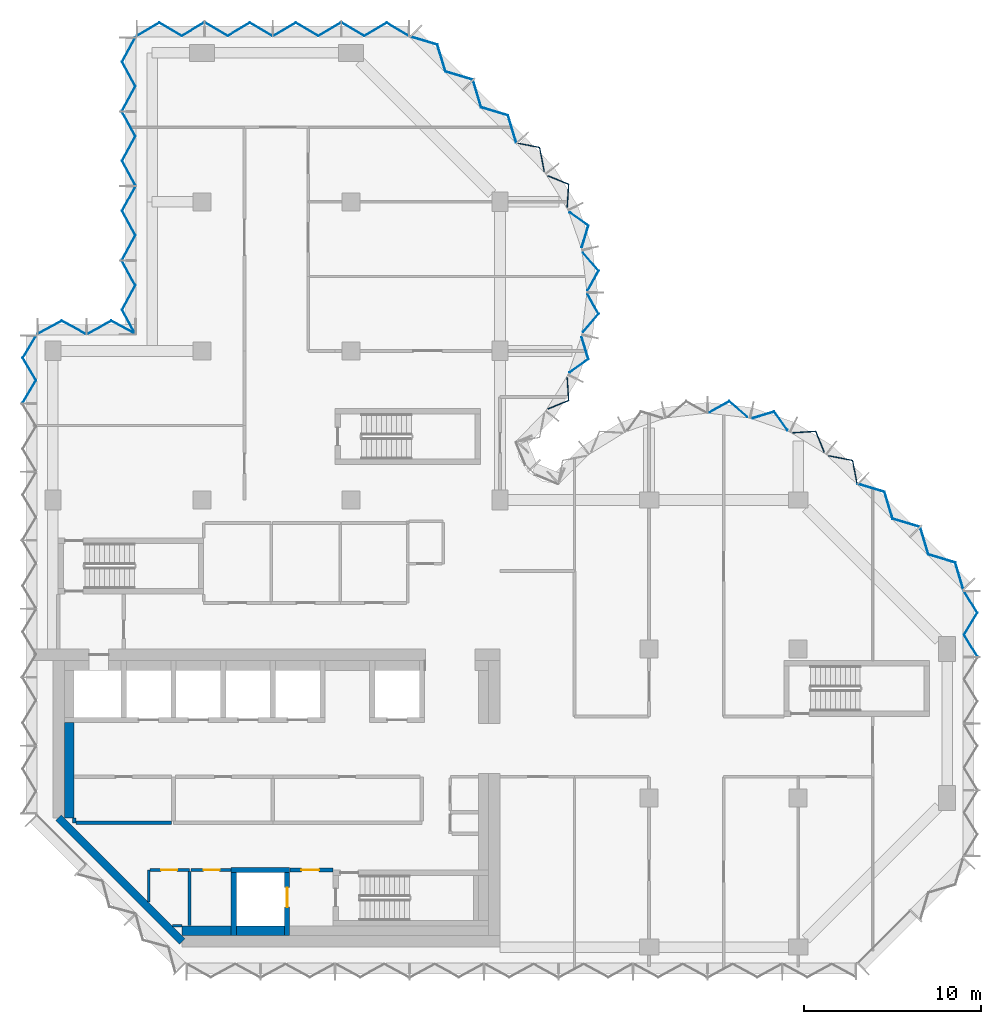
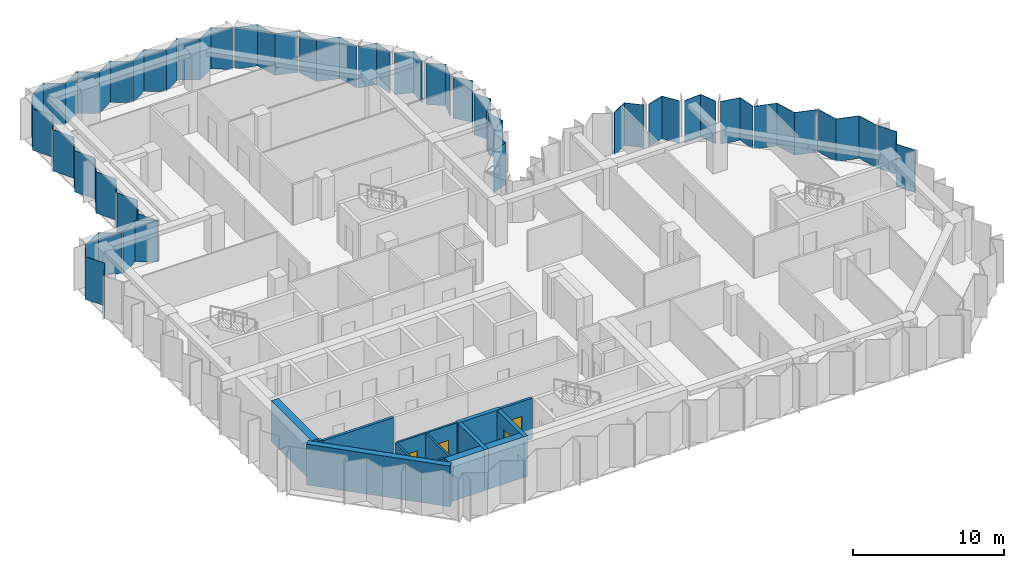
# One storey, part 4 of 10: 27 plates, 15 walls, 4 doors, 4 openings, 9 elements without a shape of their own.
"""IFC4 building model written with IfcOpenShell, lengths in metres."""

import ifcopenshell
import ifcopenshell.guid

model = None  # the IFC model being written
_history = None  # IfcOwnerHistory: only IFC2X3 demands one
_inside = {}  # id of a spatial element -> (the spatial element, [elements in it])
_under = {}  # id of a project, library or spatial element -> (it, [spatial elements below it])
_declared = {}  # id of a project -> (the project, [libraries it declares])
_typed = {}  # id of a type object -> (the type object, [elements of that type])
_made_of = {}  # id of a material, layer set ... -> (it, [elements and type objects made of it])


def new_model(schema):
    """Start an empty IFC model of exactly this schema.

    Asked for "IFC4X3", IfcOpenShell would pick the latest addendum, in which some entities
    have other attributes; the version numbers below select the first issue.
    IFC2X3 requires an IfcOwnerHistory on every rooted entity: one is made here for all.
    """
    global model, _history
    if schema == "IFC4X3":
        model = ifcopenshell.file(schema_version=(4, 3, 0, 0))
    else:
        model = ifcopenshell.file(schema=schema)
    _inside.clear()
    _under.clear()
    _declared.clear()
    _typed.clear()
    _made_of.clear()
    _history = None
    if model.schema == "IFC2X3":
        org = make("IfcOrganization", Name="unknown")
        user = make(
            "IfcPersonAndOrganization",
            ThePerson=make("IfcPerson", FamilyName="unknown"),
            TheOrganization=org,
        )
        app = make(
            "IfcApplication",
            ApplicationDeveloper=org,
            Version="unknown",
            ApplicationFullName="unknown",
            ApplicationIdentifier="unknown",
        )
        _history = make(
            "IfcOwnerHistory",
            OwningUser=user,
            OwningApplication=app,
            ChangeAction="ADDED",
            CreationDate=0,
        )
    return model


def make(cls, **values):
    """One entity of the class cls with the attributes given. An attribute that is None is left unset."""
    return model.create_entity(
        cls, **{name: value for name, value in values.items() if value is not None}
    )


def rooted(cls, **values):
    """An entity with a GlobalId (a new one), such as an element, a storey or a relation."""
    return make(cls, GlobalId=ifcopenshell.guid.new(), OwnerHistory=_history, **values)


def si_unit(unit_type, name, prefix=None):
    """IfcSIUnit, for example si_unit("LENGTHUNIT", "METRE", prefix="MILLI")."""
    return make("IfcSIUnit", UnitType=unit_type, Prefix=prefix, Name=name)


def assignment(units):
    """IfcUnitAssignment: the units of a project."""
    return None if units is None else make("IfcUnitAssignment", Units=units)


def point(xyz):
    """IfcCartesianPoint."""
    return None if xyz is None else make("IfcCartesianPoint", Coordinates=xyz)


def direction(xyz):
    """IfcDirection."""
    return None if xyz is None else make("IfcDirection", DirectionRatios=xyz)


def frame(location, z_axis=None, x_axis=None):
    """IfcAxis2Placement3D, a coordinate frame: its origin and axes. An axis left out is left unset."""
    return make(
        "IfcAxis2Placement3D",
        Location=point(location),
        Axis=direction(z_axis),
        RefDirection=direction(x_axis),
    )


def frame_2d(location, x_axis=None):
    """IfcAxis2Placement2D, a coordinate frame in the plane: its origin and x axis."""
    return make(
        "IfcAxis2Placement2D", Location=point(location), RefDirection=direction(x_axis)
    )


def origin():
    """The frame at (0, 0, 0) with its axes left unset."""
    return frame((0.0, 0.0, 0.0))


def place(relative_to, where):
    """IfcLocalPlacement: puts the frame where relative to a parent placement (None: the world)."""
    return make(
        "IfcLocalPlacement", PlacementRelTo=relative_to, RelativePlacement=where
    )


def context(
    kind, dimensions, precision=None, world=None, true_north=None, identifier=None
):
    """IfcGeometricRepresentationContext, for example the 3D "Model" context."""
    return make(
        "IfcGeometricRepresentationContext",
        ContextIdentifier=identifier,
        ContextType=kind,
        CoordinateSpaceDimension=dimensions,
        Precision=precision,
        WorldCoordinateSystem=world,
        TrueNorth=true_north,
    )


def subcontext(parent, identifier, kind, view, scale=None):
    """IfcGeometricRepresentationSubContext, for example "Body" below "Model"."""
    return make(
        "IfcGeometricRepresentationSubContext",
        ContextIdentifier=identifier,
        ContextType=kind,
        ParentContext=parent,
        TargetScale=scale,
        TargetView=view,
    )


def project(units=None, contexts=None):
    """IfcProject with its units and contexts."""
    return rooted(
        "IfcProject",
        Name="project",
        RepresentationContexts=contexts,
        UnitsInContext=assignment(units),
    )


def spatial(cls, under=None, at=None, **own):
    """A site, building, storey or space (cls), placed at a placement, below another one or the project."""
    s = rooted(cls, ObjectPlacement=at, **own)
    if under is not None:
        _under.setdefault(under.id(), (under, []))[1].append(s)
    return s


def polyline(points):
    """IfcPolyline through the points."""
    return make("IfcPolyline", Points=[point(p) for p in points])


def profile(cls, at=None, kind="AREA", **sizes):
    """A parametric profile (cls). Its sizes go by their IFC names, for example OverallWidth=200.0."""
    return make(cls, ProfileType=kind, Position=at, **sizes)


def rectangle(**sizes):
    """IfcRectangleProfileDef."""
    return profile("IfcRectangleProfileDef", **sizes)


def outline(outer, holes=None, kind="AREA"):
    """IfcArbitraryClosedProfileDef: a profile drawn as a closed curve; with holes, ...WithVoids."""
    if holes is None:
        return make("IfcArbitraryClosedProfileDef", ProfileType=kind, OuterCurve=outer)
    return make(
        "IfcArbitraryProfileDefWithVoids",
        ProfileType=kind,
        OuterCurve=outer,
        InnerCurves=holes,
    )


def extrude(swept, where, along, depth):
    """IfcExtrudedAreaSolid: the profile swept, set in the frame where, extruded along a direction by depth."""
    return make(
        "IfcExtrudedAreaSolid",
        SweptArea=swept,
        Position=where,
        ExtrudedDirection=direction(along),
        Depth=depth,
    )


def shape(context_of_items, identifier, shape_type, items):
    """IfcShapeRepresentation: the items that make up one representation, for example the "Body"."""
    return make(
        "IfcShapeRepresentation",
        ContextOfItems=context_of_items,
        RepresentationIdentifier=identifier,
        RepresentationType=shape_type,
        Items=items,
    )


def material(Name=None, Category=None):
    """IfcMaterial."""
    return make("IfcMaterial", Name=Name, Category=Category)


def layer(
    of_material, thickness, ventilated=None, Name=None, Category=None, Priority=None
):
    """IfcMaterialLayer: one layer of a wall or slab, of a material (None: an air gap)."""
    return make(
        "IfcMaterialLayer",
        Material=of_material,
        LayerThickness=thickness,
        IsVentilated=ventilated,
        Name=Name,
        Category=Category,
        Priority=Priority,
    )


def layer_set(layers, Name=None):
    """IfcMaterialLayerSet."""
    return make("IfcMaterialLayerSet", MaterialLayers=layers, LayerSetName=Name)


def made_of(thing, what):
    """Note that an element or type object is made of a material, layer set ...; save() writes the relation."""
    if what is not None:
        _made_of.setdefault(what.id(), (what, []))[1].append(thing)
    return thing


def type_object(cls, material=None, **own):
    """A type object (cls), such as IfcWallType, which elements share."""
    return made_of(rooted(cls, **own), material)


def element(
    cls,
    number,
    at=None,
    inside=None,
    cuts=None,
    type_object=None,
    material=None,
    context=None,
    identifier="Body",
    shape_type=None,
    held_by="IfcProductDefinitionShape",
    body=None,
    shapes=None,
    **own,
):
    """One element of the class cls, such as IfcWall. Its Tag is "e" and its number.

    at: its placement. inside: the storey or other place that contains it. cuts: it is an
    opening in that element (IfcRelVoidsElement). A single representation is given by context,
    identifier, shape_type and body (its items); several are given by shapes. held_by: the class
    of the entity that holds the representations. save() writes the other relations.
    """
    e = rooted(cls, Tag="e%d" % number, ObjectPlacement=at, **own)
    if body is not None:
        shapes = [shape(context, identifier, shape_type, body)]
    if shapes is not None:
        e.Representation = make(held_by, Representations=shapes)
    if inside is not None:
        _inside.setdefault(inside.id(), (inside, []))[1].append(e)
    if cuts is not None:
        rooted(
            "IfcRelVoidsElement", RelatingBuildingElement=cuts, RelatedOpeningElement=e
        )
    if type_object is not None:
        _typed.setdefault(type_object.id(), (type_object, []))[1].append(e)
    return made_of(e, material)


def fill(opening, filler):
    """IfcRelFillsElement: the door or window that sits in an opening."""
    return rooted(
        "IfcRelFillsElement",
        RelatingOpeningElement=opening,
        RelatedBuildingElement=filler,
    )


def aggregate(whole, parts):
    """IfcRelAggregates: a whole, such as a stair, and the parts it consists of."""
    return rooted("IfcRelAggregates", RelatingObject=whole, RelatedObjects=parts)


def save(model, path):
    """Write the relations noted so far, then the file.

    IfcRelAggregates (storeys below a building ...), IfcRelContainedInSpatialStructure (elements
    in a storey), IfcRelDefinesByType, IfcRelAssociatesMaterial and IfcRelDeclares: one each for
    every whole, place, type object, material and project.
    """
    for whole, parts in _under.values():
        aggregate(whole, parts)
    for where, things in _inside.values():
        rooted(
            "IfcRelContainedInSpatialStructure",
            RelatedElements=things,
            RelatingStructure=where,
        )
    for kind, things in _typed.values():
        rooted("IfcRelDefinesByType", RelatedObjects=things, RelatingType=kind)
    for what, things in _made_of.values():
        rooted("IfcRelAssociatesMaterial", RelatedObjects=things, RelatingMaterial=what)
    for by, libraries in _declared.values():
        rooted("IfcRelDeclares", RelatingContext=by, RelatedDefinitions=libraries)
    model.write(path)


model = new_model("IFC4")

# Units and contexts
model_context = context("Model", 3, precision=1e-05, world=origin(), true_north=direction((0.0, 1.0)))
body_context = subcontext(model_context, "Body", "Model", "MODEL_VIEW")
ifc_project = project(units=[si_unit("LENGTHUNIT", "METRE"), si_unit("AREAUNIT", "SQUARE_METRE"), si_unit("VOLUMEUNIT", "CUBIC_METRE"), si_unit("PLANEANGLEUNIT", "RADIAN"), si_unit("MASSUNIT", "GRAM", prefix="KILO")], contexts=[model_context])

# Site, building, storey
site_placement = place(None, origin())
site = spatial("IfcSite", under=ifc_project, at=site_placement, CompositionType="ELEMENT")
building_placement = place(site_placement, origin())
building = spatial("IfcBuilding", under=site, at=building_placement, Name="Brevane Broadcast Tower", CompositionType="ELEMENT")
storey_placement = place(building_placement, frame((0.0, 0.0, 202.800048828125)))
storey = spatial("IfcBuildingStorey", under=building, at=storey_placement, Name="L51", CompositionType="ELEMENT", Elevation=202.800048828125)

# Curtain wall, plate
ifc_material_1 = material(Name="Aluminium 6063-T6 bronze anodised", Category="aluminium")
curtain_wall_type = type_object("IfcCurtainWallType", Name="CW-1 curtain wall", PredefinedType="NOTDEFINED", material=ifc_material_1)
curtain_wall_1_placement = place(storey_placement, origin())
curtain_wall_1 = element("IfcCurtainWall", 1, at=curtain_wall_1_placement, inside=storey, type_object=curtain_wall_type, Name="CW-1 typical tilted unit L51 east end", PredefinedType="NOTDEFINED")
ifc_material_2 = material(Name="Laminated glass bronze-tinted", Category="glass")
ifc_layer_1 = layer(ifc_material_2, 0.0400390625)
ifc_layer_set_1 = layer_set([ifc_layer_1], Name="CW tall glass panel 40")
plate_type = type_object("IfcPlateType", Name="CW tall glass panel 40", PredefinedType="CURTAIN_PANEL", material=ifc_layer_set_1)
plate_1_placement = place(storey_placement, frame((0.0, 0.0, -0.150146484375)))
plate_1 = element("IfcPlate", 2, at=plate_1_placement, type_object=plate_type, Name="CW-1 glass panel", PredefinedType="CURTAIN_PANEL", context=body_context, shape_type="SweptSolid", body=[
    extrude(outline(polyline([(52.071044921875, 16.385009765625), (52.117919921875, 16.385009765625), (51.373291015625, 17.61181640625), (52.117919921875, 18.83837890625), (51.373291015625, 20.06494140625), (51.32666015625, 20.06494140625), (52.071044921875, 18.83837890625), (51.32666015625, 17.61181640625), (52.071044921875, 16.385009765625)])), origin(), (0.0, 0.0, 1.0), 3.4501953125),
])
aggregate(curtain_wall_1, [plate_1])

# Curtain wall, plates
curtain_wall_2_placement = place(storey_placement, origin())
curtain_wall_2 = element("IfcCurtainWall", 3, at=curtain_wall_2_placement, inside=storey, type_object=curtain_wall_type, Name="CW-1 typical tilted unit L51 north-east chamfer", PredefinedType="NOTDEFINED")
plate_2_placement = place(storey_placement, frame((0.0, 0.0, -0.150146484375)))
plate_2 = element("IfcPlate", 4, at=plate_2_placement, type_object=plate_type, Name="CW-1 glass panel", PredefinedType="CURTAIN_PANEL", context=body_context, shape_type="SweptSolid", body=[
    extrude(outline(polyline([(51.294677734375, 20.14404296875), (51.32666015625, 20.176025390625), (50.869384765625, 21.68603515625), (49.359619140625, 22.14306640625), (48.902587890625, 23.653076171875), (48.870361328125, 23.620849609375), (49.32763671875, 22.111083984375), (50.83740234375, 21.65380859375), (51.294677734375, 20.14404296875)])), origin(), (0.0, 0.0, 1.0), 3.4501953125),
])
plate_3_placement = place(storey_placement, frame((0.0, 0.0, -0.150146484375)))
plate_3 = element("IfcPlate", 5, at=plate_3_placement, type_object=plate_type, Name="CW-1 glass panel", PredefinedType="CURTAIN_PANEL", context=body_context, shape_type="SweptSolid", body=[
    extrude(outline(polyline([(48.82080078125, 23.67041015625), (48.85302734375, 23.702392578125), (47.343017578125, 24.15966796875), (46.885986328125, 25.66943359375), (45.376220703125, 26.126708984375), (45.343994140625, 26.094482421875), (46.85400390625, 25.637451171875), (47.31103515625, 24.127685546875), (48.82080078125, 23.67041015625)])), origin(), (0.0, 0.0, 1.0), 3.4501953125),
])
aggregate(curtain_wall_2, [plate_2, plate_3])

curtain_wall_3_placement = place(storey_placement, origin())
curtain_wall_3 = element("IfcCurtainWall", 6, at=curtain_wall_3_placement, inside=storey, type_object=curtain_wall_type, Name="CW-1 typical tilted unit L51 east bow", PredefinedType="NOTDEFINED")
plate_4_placement = place(storey_placement, frame((0.0, 0.0, -0.150146484375)))
plate_4 = element("IfcPlate", 7, at=plate_4_placement, type_object=plate_type, Name="CW-1 glass panel", PredefinedType="CURTAIN_PANEL", context=body_context, shape_type="SweptSolid", body=[
    extrude(outline(polyline([(45.2939453125, 26.14404296875), (45.327880859375, 26.17919921875), (45.086181640625, 27.447265625), (43.738525390625, 27.71142578125), (43.7109375, 27.67626953125), (45.052001953125, 27.4130859375), (45.2939453125, 26.14404296875)])), origin(), (0.0, 0.0, 1.0), 3.4501953125),
])
plate_5_placement = place(storey_placement, frame((0.0, 0.0, -0.150146484375)))
plate_5 = element("IfcPlate", 8, at=plate_5_placement, type_object=plate_type, Name="CW-1 glass panel", PredefinedType="CURTAIN_PANEL", context=body_context, shape_type="SweptSolid", body=[
    extrude(outline(polyline([(43.45703125, 27.8759765625), (43.4853515625, 27.912109375), (43.00390625, 29.089111328125), (41.710693359375, 29.006591796875), (41.69091796875, 28.96533203125), (42.977783203125, 29.04736328125), (43.45703125, 27.8759765625)])), origin(), (0.0, 0.0, 1.0), 3.4501953125),
])
plate_6_placement = place(storey_placement, frame((0.0, 0.0, -0.150146484375)))
plate_6 = element("IfcPlate", 9, at=plate_6_placement, type_object=plate_type, Name="CW-1 glass panel", PredefinedType="CURTAIN_PANEL", context=body_context, shape_type="SweptSolid", body=[
    extrude(outline(polyline([(41.3994140625, 29.104248046875), (41.4189453125, 29.1455078125), (40.667724609375, 30.20166015625), (39.45068359375, 29.83349609375), (39.440185546875, 29.78857421875), (40.65185546875, 30.155029296875), (41.3994140625, 29.104248046875)])), origin(), (0.0, 0.0, 1.0), 3.4501953125),
])
plate_7_placement = place(storey_placement, frame((0.0, 0.0, -0.150146484375)))
plate_7 = element("IfcPlate", 10, at=plate_7_placement, type_object=plate_type, Name="CW-1 glass panel", PredefinedType="CURTAIN_PANEL", context=body_context, shape_type="SweptSolid", body=[
    extrude(outline(polyline([(39.125, 29.859619140625), (39.13525390625, 29.903564453125), (38.116943359375, 30.779296875), (37.008056640625, 30.15869140625), (37.008056640625, 30.11279296875), (38.112060546875, 30.730712890625), (39.125, 29.859619140625)])), origin(), (0.0, 0.0, 1.0), 3.4501953125),
])
aggregate(curtain_wall_3, [plate_4, plate_5, plate_6, plate_7])

curtain_wall_4_placement = place(storey_placement, origin())
curtain_wall_4 = element("IfcCurtainWall", 11, at=curtain_wall_4_placement, inside=storey, type_object=curtain_wall_type, Name="CW-1 typical tilted unit L51 north bow", PredefinedType="NOTDEFINED")
plate_8_placement = place(storey_placement, frame((0.0, 0.0, -0.150146484375)))
plate_8 = element("IfcPlate", 12, at=plate_8_placement, type_object=plate_type, Name="CW-1 glass panel", PredefinedType="CURTAIN_PANEL", context=body_context, shape_type="SweptSolid", body=[
    extrude(outline(polyline([(27.8759765625, 30.343017578125), (27.912109375, 30.314697265625), (29.089111328125, 30.7958984375), (29.006591796875, 32.08935546875), (28.96533203125, 32.10888671875), (29.04736328125, 30.822265625), (27.8759765625, 30.343017578125)])), origin(), (0.0, 0.0, 1.0), 3.35009765625),
])
plate_9_placement = place(storey_placement, frame((0.0, 0.0, -0.150146484375)))
plate_9 = element("IfcPlate", 13, at=plate_9_placement, type_object=plate_type, Name="CW-1 glass panel", PredefinedType="CURTAIN_PANEL", context=body_context, shape_type="SweptSolid", body=[
    extrude(outline(polyline([(29.104248046875, 32.400634765625), (29.1455078125, 32.381103515625), (30.20166015625, 33.132080078125), (29.83349609375, 34.349365234375), (29.78857421875, 34.359619140625), (30.155029296875, 33.148193359375), (29.104248046875, 32.400634765625)])), origin(), (0.0, 0.0, 1.0), 3.35009765625),
])
plate_10_placement = place(storey_placement, frame((0.0, 0.0, -0.150146484375)))
plate_10 = element("IfcPlate", 14, at=plate_10_placement, type_object=plate_type, Name="CW-1 glass panel", PredefinedType="CURTAIN_PANEL", context=body_context, shape_type="SweptSolid", body=[
    extrude(outline(polyline([(29.859619140625, 34.6748046875), (29.903564453125, 34.664794921875), (30.779296875, 35.68310546875), (30.15869140625, 36.7919921875), (30.11279296875, 36.7919921875), (30.730712890625, 35.68798828125), (29.859619140625, 34.6748046875)])), origin(), (0.0, 0.0, 1.0), 3.35009765625),
])
plate_11_placement = place(storey_placement, frame((0.0, 0.0, -0.150146484375)))
plate_11 = element("IfcPlate", 15, at=plate_11_placement, type_object=plate_type, Name="CW-1 glass panel", PredefinedType="CURTAIN_PANEL", context=body_context, shape_type="SweptSolid", body=[
    extrude(outline(polyline([(30.11279296875, 37.008056640625), (30.15869140625, 37.008056640625), (30.779296875, 38.116943359375), (29.903564453125, 39.13525390625), (29.859619140625, 39.125), (30.730712890625, 38.112060546875), (30.11279296875, 37.008056640625)])), origin(), (0.0, 0.0, 1.0), 3.35009765625),
])
plate_12_placement = place(storey_placement, frame((0.0, 0.0, -0.150146484375)))
plate_12 = element("IfcPlate", 16, at=plate_12_placement, type_object=plate_type, Name="CW-1 glass panel", PredefinedType="CURTAIN_PANEL", context=body_context, shape_type="SweptSolid", body=[
    extrude(outline(polyline([(29.78857421875, 39.440185546875), (29.83349609375, 39.45068359375), (30.20166015625, 40.667724609375), (29.1455078125, 41.4189453125), (29.104248046875, 41.3994140625), (30.155029296875, 40.65185546875), (29.78857421875, 39.440185546875)])), origin(), (0.0, 0.0, 1.0), 3.35009765625),
])
plate_13_placement = place(storey_placement, frame((0.0, 0.0, -0.150146484375)))
plate_13 = element("IfcPlate", 17, at=plate_13_placement, type_object=plate_type, Name="CW-1 glass panel", PredefinedType="CURTAIN_PANEL", context=body_context, shape_type="SweptSolid", body=[
    extrude(outline(polyline([(28.96533203125, 41.69091796875), (29.006591796875, 41.710693359375), (29.089111328125, 43.00390625), (27.912109375, 43.4853515625), (27.8759765625, 43.45703125), (29.04736328125, 42.977783203125), (28.96533203125, 41.69091796875)])), origin(), (0.0, 0.0, 1.0), 3.35009765625),
])
plate_14_placement = place(storey_placement, frame((0.0, 0.0, -0.150146484375)))
plate_14 = element("IfcPlate", 18, at=plate_14_placement, type_object=plate_type, Name="CW-1 glass panel", PredefinedType="CURTAIN_PANEL", context=body_context, shape_type="SweptSolid", body=[
    extrude(outline(polyline([(27.67626953125, 43.7109375), (27.71142578125, 43.738525390625), (27.447265625, 45.086181640625), (26.17919921875, 45.327880859375), (26.14404296875, 45.2939453125), (27.4130859375, 45.052001953125), (27.67626953125, 43.7109375)])), origin(), (0.0, 0.0, 1.0), 3.35009765625),
])
aggregate(curtain_wall_4, [plate_8, plate_9, plate_10, plate_11, plate_12, plate_13, plate_14])

curtain_wall_5_placement = place(storey_placement, origin())
curtain_wall_5 = element("IfcCurtainWall", 19, at=curtain_wall_5_placement, inside=storey, type_object=curtain_wall_type, Name="CW-1 typical tilted unit L51 north arm north-east chamfer", PredefinedType="NOTDEFINED")
plate_15_placement = place(storey_placement, frame((0.0, 0.0, -0.150146484375)))
plate_15 = element("IfcPlate", 20, at=plate_15_placement, type_object=plate_type, Name="CW-1 glass panel", PredefinedType="CURTAIN_PANEL", context=body_context, shape_type="SweptSolid", body=[
    extrude(outline(polyline([(26.094482421875, 45.343994140625), (26.126708984375, 45.376220703125), (25.66943359375, 46.885986328125), (24.15966796875, 47.343017578125), (23.702392578125, 48.85302734375), (23.67041015625, 48.82080078125), (24.127685546875, 47.31103515625), (25.637451171875, 46.85400390625), (26.094482421875, 45.343994140625)])), origin(), (0.0, 0.0, 1.0), 3.35009765625),
])
plate_16_placement = place(storey_placement, frame((0.0, 0.0, -0.150146484375)))
plate_16 = element("IfcPlate", 21, at=plate_16_placement, type_object=plate_type, Name="CW-1 glass panel", PredefinedType="CURTAIN_PANEL", context=body_context, shape_type="SweptSolid", body=[
    extrude(outline(polyline([(23.620849609375, 48.870361328125), (23.653076171875, 48.902587890625), (22.14306640625, 49.359619140625), (21.68603515625, 50.869384765625), (20.176025390625, 51.32666015625), (20.14404296875, 51.294677734375), (21.65380859375, 50.83740234375), (22.111083984375, 49.32763671875), (23.620849609375, 48.870361328125)])), origin(), (0.0, 0.0, 1.0), 3.35009765625),
])
aggregate(curtain_wall_5, [plate_15, plate_16])

curtain_wall_6_placement = place(storey_placement, origin())
curtain_wall_6 = element("IfcCurtainWall", 22, at=curtain_wall_6_placement, inside=storey, type_object=curtain_wall_type, Name="CW-1 typical tilted unit L51 north end", PredefinedType="NOTDEFINED")
plate_17_placement = place(storey_placement, frame((0.0, 0.0, -0.150146484375)))
plate_17 = element("IfcPlate", 23, at=plate_17_placement, type_object=plate_type, Name="CW-1 glass panel", PredefinedType="CURTAIN_PANEL", context=body_context, shape_type="SweptSolid", body=[
    extrude(outline(polyline([(20.06494140625, 51.326904296875), (20.06494140625, 51.373291015625), (18.804931640625, 52.11767578125), (17.544921875, 51.373291015625), (16.284912109375, 52.11767578125), (16.284912109375, 52.0712890625), (17.544921875, 51.326904296875), (18.804931640625, 52.0712890625), (20.06494140625, 51.326904296875)])), origin(), (0.0, 0.0, 1.0), 3.35009765625),
])
plate_18_placement = place(storey_placement, frame((0.0, 0.0, -0.150146484375)))
plate_18 = element("IfcPlate", 24, at=plate_18_placement, type_object=plate_type, Name="CW-1 glass panel", PredefinedType="CURTAIN_PANEL", context=body_context, shape_type="SweptSolid", body=[
    extrude(outline(polyline([(16.215087890625, 52.0712890625), (16.215087890625, 52.11767578125), (14.955078125, 51.373291015625), (13.695068359375, 52.11767578125), (12.43505859375, 51.373291015625), (12.43505859375, 51.326904296875), (13.695068359375, 52.0712890625), (14.955078125, 51.326904296875), (16.215087890625, 52.0712890625)])), origin(), (0.0, 0.0, 1.0), 3.35009765625),
])
plate_19_placement = place(storey_placement, frame((0.0, 0.0, -0.150146484375)))
plate_19 = element("IfcPlate", 25, at=plate_19_placement, type_object=plate_type, Name="CW-1 glass panel", PredefinedType="CURTAIN_PANEL", context=body_context, shape_type="SweptSolid", body=[
    extrude(outline(polyline([(12.364990234375, 51.326904296875), (12.364990234375, 51.373291015625), (11.10498046875, 52.11767578125), (9.844970703125, 51.373291015625), (8.5849609375, 52.11767578125), (8.5849609375, 52.0712890625), (9.844970703125, 51.326904296875), (11.10498046875, 52.0712890625), (12.364990234375, 51.326904296875)])), origin(), (0.0, 0.0, 1.0), 3.35009765625),
])
plate_20_placement = place(storey_placement, frame((0.0, 0.0, -0.150146484375)))
plate_20 = element("IfcPlate", 26, at=plate_20_placement, type_object=plate_type, Name="CW-1 glass panel", PredefinedType="CURTAIN_PANEL", context=body_context, shape_type="SweptSolid", body=[
    extrude(outline(polyline([(8.514892578125, 52.0712890625), (8.514892578125, 52.11767578125), (7.2548828125, 51.373291015625), (5.9951171875, 52.11767578125), (4.735107421875, 51.373291015625), (4.735107421875, 51.326904296875), (5.9951171875, 52.0712890625), (7.2548828125, 51.326904296875), (8.514892578125, 52.0712890625)])), origin(), (0.0, 0.0, 1.0), 3.35009765625),
])
aggregate(curtain_wall_6, [plate_17, plate_18, plate_19, plate_20])

curtain_wall_7_placement = place(storey_placement, origin())
curtain_wall_7 = element("IfcCurtainWall", 27, at=curtain_wall_7_placement, inside=storey, type_object=curtain_wall_type, Name="CW-1 typical tilted unit L51 north wing west face, lower block", PredefinedType="NOTDEFINED")
plate_21_placement = place(storey_placement, frame((0.0, 0.0, -0.150146484375)))
plate_21 = element("IfcPlate", 28, at=plate_21_placement, type_object=plate_type, Name="CW-1 glass panel", PredefinedType="CURTAIN_PANEL", context=body_context, shape_type="SweptSolid", body=[
    extrude(outline(polyline([(4.672607421875, 51.264892578125), (4.627197265625, 51.264892578125), (3.8828125, 49.88818359375), (4.627197265625, 48.51171875), (3.8828125, 47.135009765625), (3.92822265625, 47.135009765625), (4.672607421875, 48.51171875), (3.92822265625, 49.88818359375), (4.672607421875, 51.264892578125)])), origin(), (0.0, 0.0, 1.0), 3.35009765625),
])
plate_22_placement = place(storey_placement, frame((0.0, 0.0, -0.150146484375)))
plate_22 = element("IfcPlate", 29, at=plate_22_placement, type_object=plate_type, Name="CW-1 glass panel", PredefinedType="CURTAIN_PANEL", context=body_context, shape_type="SweptSolid", body=[
    extrude(outline(polyline([(3.92822265625, 47.06494140625), (3.8828125, 47.06494140625), (4.627197265625, 45.688232421875), (3.8828125, 44.311767578125), (4.627197265625, 42.93505859375), (4.672607421875, 42.93505859375), (3.92822265625, 44.311767578125), (4.672607421875, 45.688232421875), (3.92822265625, 47.06494140625)])), origin(), (0.0, 0.0, 1.0), 3.35009765625),
])
plate_23_placement = place(storey_placement, frame((0.0, 0.0, -0.150146484375)))
plate_23 = element("IfcPlate", 30, at=plate_23_placement, type_object=plate_type, Name="CW-1 glass panel", PredefinedType="CURTAIN_PANEL", context=body_context, shape_type="SweptSolid", body=[
    extrude(outline(polyline([(4.672607421875, 42.864990234375), (4.627197265625, 42.864990234375), (3.8828125, 41.48828125), (4.627197265625, 40.11181640625), (3.8828125, 38.735107421875), (3.92822265625, 38.735107421875), (4.672607421875, 40.11181640625), (3.92822265625, 41.48828125), (4.672607421875, 42.864990234375)])), origin(), (0.0, 0.0, 1.0), 3.35009765625),
])
plate_24_placement = place(storey_placement, frame((0.0, 0.0, -0.150146484375)))
plate_24 = element("IfcPlate", 31, at=plate_24_placement, type_object=plate_type, Name="CW-1 glass panel", PredefinedType="CURTAIN_PANEL", context=body_context, shape_type="SweptSolid", body=[
    extrude(outline(polyline([(3.92822265625, 38.6650390625), (3.8828125, 38.6650390625), (4.627197265625, 37.288330078125), (3.8828125, 35.91162109375), (4.627197265625, 34.534912109375), (4.672607421875, 34.534912109375), (3.92822265625, 35.91162109375), (4.672607421875, 37.288330078125), (3.92822265625, 38.6650390625)])), origin(), (0.0, 0.0, 1.0), 3.35009765625),
])
aggregate(curtain_wall_7, [plate_21, plate_22, plate_23, plate_24])

curtain_wall_8_placement = place(storey_placement, origin())
curtain_wall_8 = element("IfcCurtainWall", 32, at=curtain_wall_8_placement, inside=storey, type_object=curtain_wall_type, Name="CW-1 typical tilted unit L51 north wing west return, lower block", PredefinedType="NOTDEFINED")
plate_25_placement = place(storey_placement, frame((0.0, 0.0, -0.150146484375)))
plate_25 = element("IfcPlate", 33, at=plate_25_placement, type_object=plate_type, Name="CW-1 glass panel", PredefinedType="CURTAIN_PANEL", context=body_context, shape_type="SweptSolid", body=[
    extrude(outline(polyline([(4.6650390625, 34.527099609375), (4.6650390625, 34.57275390625), (3.300048828125, 35.317138671875), (1.93505859375, 34.57275390625), (1.93505859375, 34.527099609375), (3.300048828125, 35.271484375), (4.6650390625, 34.527099609375)])), origin(), (0.0, 0.0, 1.0), 3.35009765625),
])
plate_26_placement = place(storey_placement, frame((0.0, 0.0, -0.150146484375)))
plate_26 = element("IfcPlate", 34, at=plate_26_placement, type_object=plate_type, Name="CW-1 glass panel", PredefinedType="CURTAIN_PANEL", context=body_context, shape_type="SweptSolid", body=[
    extrude(outline(polyline([(1.864990234375, 34.527099609375), (1.864990234375, 34.57275390625), (0.5, 35.317138671875), (-0.864990234375, 34.57275390625), (-0.864990234375, 34.527099609375), (0.5, 35.271484375), (1.864990234375, 34.527099609375)])), origin(), (0.0, 0.0, 1.0), 3.35009765625),
])
aggregate(curtain_wall_8, [plate_25, plate_26])

# Curtain wall, plate
curtain_wall_9_placement = place(storey_placement, origin())
curtain_wall_9 = element("IfcCurtainWall", 35, at=curtain_wall_9_placement, inside=storey, type_object=curtain_wall_type, Name="CW-1 typical tilted unit L51 west face", PredefinedType="NOTDEFINED")
plate_27_placement = place(storey_placement, frame((0.0, 0.0, -0.150146484375)))
plate_27 = element("IfcPlate", 36, at=plate_27_placement, type_object=plate_type, Name="CW-1 glass panel", PredefinedType="CURTAIN_PANEL", context=body_context, shape_type="SweptSolid", body=[
    extrude(outline(polyline([(-0.9267578125, 34.465087890625), (-0.97314453125, 34.465087890625), (-1.717529296875, 33.20263671875), (-0.97314453125, 31.940185546875), (-1.717529296875, 30.677978515625), (-1.671142578125, 30.677978515625), (-0.9267578125, 31.940185546875), (-1.671142578125, 33.20263671875), (-0.9267578125, 34.465087890625)])), origin(), (0.0, 0.0, 1.0), 3.4501953125),
])
aggregate(curtain_wall_9, [plate_27])

# Walls
ifc_material_3 = material(Name="Concrete C32/40", Category="concrete")
ifc_layer_2 = layer(ifc_material_3, 0.550048828125)
ifc_layer_set_2 = layer_set([ifc_layer_2], Name="Core chase wall 550 mm")
wall_type_1 = type_object("IfcWallType", Name="Core chase wall 550 mm", PredefinedType="PARTITIONING", material=ifc_layer_set_2)
wall_1_placement = place(storey_placement, frame((0.925048828125, 7.286376953125, 0.0), z_axis=(0.0, 0.0, 1.0), x_axis=(0.0, 1.0, 0.0)))
element("IfcWall", 37, at=wall_1_placement, inside=storey, type_object=wall_type_1, Name="L51 chase wall LW-1", PredefinedType="PARTITIONING", context=body_context, shape_type="SweptSolid", body=[
    extrude(rectangle(XDim=5.363525390625, YDim=0.550048828125, at=frame_2d((2.681640625, 0.0))), origin(), (0.0, 0.0, 1.0), 3.300048828125),
])
wall_2_placement = place(storey_placement, frame((7.286376953125, 0.925048828125, 0.0), z_axis=(0.0, 0.0, 1.0), x_axis=(1.0, 0.0, 0.0)))
element("IfcWall", 38, at=wall_2_placement, inside=storey, type_object=wall_type_1, Name="L51 chase wall LS-1", PredefinedType="PARTITIONING", context=body_context, shape_type="SweptSolid", body=[
    extrude(rectangle(XDim=2.763671875, YDim=0.550048828125, at=frame_2d((1.3818359375, 0.0))), origin(), (0.0, 0.0, 1.0), 3.300048828125),
])
wall_3_placement = place(storey_placement, frame((10.35009765625, 0.925048828125, 0.0), z_axis=(0.0, 0.0, 1.0), x_axis=(1.0, 0.0, 0.0)))
element("IfcWall", 39, at=wall_3_placement, inside=storey, type_object=wall_type_1, Name="L51 chase wall LS-2-1", PredefinedType="PARTITIONING", context=body_context, shape_type="SweptSolid", body=[
    extrude(rectangle(XDim=2.699951171875, YDim=0.550048828125, at=frame_2d((1.35009765625, 0.0))), origin(), (0.0, 0.0, 1.0), 3.300048828125),
])
ifc_material_4 = material(Name="Gypsum board on steel studs", Category="steel")
ifc_layer_3 = layer(ifc_material_4, 0.14990234375)
ifc_layer_set_3 = layer_set([ifc_layer_3], Name="Core fire partition 150 mm")
wall_type_2 = type_object("IfcWallType", Name="Core fire partition 150 mm", PredefinedType="PARTITIONING", material=ifc_layer_set_3)
wall_4_placement = place(storey_placement, frame((5.39990234375, 2.553466796875, 0.0), z_axis=(0.0, 0.0, 1.0), x_axis=(0.0, 1.0, 0.0)))
element("IfcWall", 40, at=wall_4_placement, inside=storey, type_object=wall_type_2, Name="L51 partition wall P17", PredefinedType="PARTITIONING", context=body_context, shape_type="SweptSolid", body=[
    extrude(rectangle(XDim=1.796630859375, YDim=0.14990234375, at=frame_2d((0.8984375, 0.0))), origin(), (0.0, 0.0, 1.0), 3.300048828125),
])

# Wall, opening, door
wall_5_placement = place(storey_placement, frame((5.47509765625, 4.35009765625, 0.0), z_axis=(0.0, 0.0, 1.0), x_axis=(1.0, 0.0, 0.0)))
wall_5 = element("IfcWall", 41, at=wall_5_placement, inside=storey, type_object=wall_type_2, Name="L51 partition wall P18", PredefinedType="PARTITIONING", context=body_context, shape_type="SweptSolid", body=[
    extrude(rectangle(XDim=2.224853515625, YDim=0.14990234375, at=frame_2d((1.1123046875, 0.0))), origin(), (0.0, 0.0, 1.0), 3.300048828125),
])
opening_1_placement = place(wall_5_placement, frame((0.625, 0.0, 0.0)))
opening_1 = element("IfcOpeningElement", 42, at=opening_1_placement, cuts=wall_5, Name="Opening L51-K14", PredefinedType="OPENING", context=body_context, shape_type="SweptSolid", body=[
    extrude(rectangle(XDim=0.89990234375, YDim=2.10009765625, at=frame_2d((0.449951171875, 1.050048828125))), frame((0.0, 0.0849609375, 0.0), z_axis=(0.0, -1.0, 0.0), x_axis=(1.0, 0.0, 0.0)), (0.0, 0.0, 1.0), 0.169921875),
])
ifc_material_5 = material(Name="Timber", Category="wood")
door_type_1 = type_object("IfcDoorType", Name="Toilet door 900 x 2100", OperationType="SINGLE_SWING_LEFT", PredefinedType="DOOR", material=ifc_material_5)
door_1_placement = place(opening_1_placement, origin())
door_1 = element("IfcDoor", 43, at=door_1_placement, inside=storey, type_object=door_type_1, Name="Door L51-K14", OperationType="SINGLE_SWING_RIGHT", OverallHeight=2.10009765625, OverallWidth=0.89990234375, PredefinedType="DOOR", context=body_context, shape_type="SweptSolid", body=[
    extrude(rectangle(XDim=0.89990234375, YDim=2.10009765625, at=frame_2d((0.449951171875, 1.050048828125))), frame((0.0, 0.02490234375, 0.0), z_axis=(0.0, -1.0, 0.0), x_axis=(1.0, 0.0, 0.0)), (0.0, 0.0, 1.0), 0.050048828125),
])
fill(opening_1, door_1)

# Walls
wall_6_placement = place(storey_placement, frame((7.699951171875, 4.27490234375, 0.0), z_axis=(0.0, 0.0, 1.0), x_axis=(0.0, -1.0, 0.0)))
element("IfcWall", 44, at=wall_6_placement, inside=storey, type_object=wall_type_2, Name="L51 partition wall P19", PredefinedType="PARTITIONING", context=body_context, shape_type="SweptSolid", body=[
    extrude(rectangle(XDim=3.06298828125, YDim=0.14990234375, at=frame_2d((1.531494140625, 0.0))), origin(), (0.0, 0.0, 1.0), 3.300048828125),
])
wall_7_placement = place(storey_placement, frame((7.2744140625, 1.199951171875, 0.0), z_axis=(0.0, 0.0, 1.0), x_axis=(-1.0, 0.0, 0.0)))
element("IfcWall", 45, at=wall_7_placement, inside=storey, type_object=wall_type_2, Name="L51 partition wall P20", PredefinedType="PARTITIONING", context=body_context, shape_type="SweptSolid", body=[
    extrude(rectangle(XDim=0.52099609375, YDim=0.14990234375, at=frame_2d((0.260498046875, 0.0))), origin(), (0.0, 0.0, 1.0), 3.300048828125),
])

# Wall, opening, door
wall_8_placement = place(storey_placement, frame((10.0380859375, 4.35009765625, 0.0), z_axis=(0.0, 0.0, 1.0), x_axis=(-1.0, 0.0, 0.0)))
wall_8 = element("IfcWall", 46, at=wall_8_placement, inside=storey, type_object=wall_type_2, Name="L51 partition wall P21", PredefinedType="PARTITIONING", context=body_context, shape_type="SweptSolid", body=[
    extrude(rectangle(XDim=2.26318359375, YDim=0.14990234375, at=frame_2d((1.131591796875, 0.0))), origin(), (0.0, 0.0, 1.0), 3.300048828125),
])
opening_2_placement = place(wall_8_placement, frame((0.637939453125, 0.0, 0.0)))
opening_2 = element("IfcOpeningElement", 47, at=opening_2_placement, cuts=wall_8, Name="Opening L51-K15", PredefinedType="OPENING", context=body_context, shape_type="SweptSolid", body=[
    extrude(rectangle(XDim=0.89990234375, YDim=2.10009765625, at=frame_2d((0.449951171875, 1.050048828125))), frame((0.0, 0.0849609375, 0.0), z_axis=(0.0, -1.0, 0.0), x_axis=(1.0, 0.0, 0.0)), (0.0, 0.0, 1.0), 0.169921875),
])
door_2_placement = place(opening_2_placement, origin())
door_2 = element("IfcDoor", 48, at=door_2_placement, inside=storey, type_object=door_type_1, Name="Door L51-K15", OperationType="SINGLE_SWING_LEFT", OverallHeight=2.10009765625, OverallWidth=0.89990234375, PredefinedType="DOOR", context=body_context, shape_type="SweptSolid", body=[
    extrude(rectangle(XDim=0.89990234375, YDim=2.10009765625, at=frame_2d((0.449951171875, 1.050048828125))), frame((0.0, 0.02490234375, 0.0), z_axis=(0.0, -1.0, 0.0), x_axis=(1.0, 0.0, 0.0)), (0.0, 0.0, 1.0), 0.050048828125),
])
fill(opening_2, door_2)

ifc_layer_4 = layer(ifc_material_4, 0.199951171875)
ifc_layer_set_4 = layer_set([ifc_layer_4], Name="Core fire partition 200 mm")
wall_type_3 = type_object("IfcWallType", Name="Core fire partition 200 mm", PredefinedType="PARTITIONING", material=ifc_layer_set_4)
wall_9_placement = place(storey_placement, frame((13.362060546875, 4.35009765625, 0.0), z_axis=(0.0, 0.0, 1.0), x_axis=(1.0, 0.0, 0.0)))
wall_9 = element("IfcWall", 49, at=wall_9_placement, inside=storey, type_object=wall_type_3, Name="L51 partition wall P03", PredefinedType="PARTITIONING", context=body_context, shape_type="SweptSolid", body=[
    extrude(rectangle(XDim=2.426025390625, YDim=0.199951171875, at=frame_2d((1.212890625, 0.0))), origin(), (0.0, 0.0, 1.0), 3.300048828125),
])
opening_3_placement = place(wall_9_placement, frame((0.637939453125, 0.0, 0.0)))
opening_3 = element("IfcOpeningElement", 50, at=opening_3_placement, cuts=wall_9, Name="Opening L51-K16", PredefinedType="OPENING", context=body_context, shape_type="SweptSolid", body=[
    extrude(rectangle(XDim=1.0, YDim=2.10009765625, at=frame_2d((0.5, 1.050048828125))), frame((0.0, 0.10986328125, 0.0), z_axis=(0.0, -1.0, 0.0), x_axis=(1.0, 0.0, 0.0)), (0.0, 0.0, 1.0), 0.219970703125),
])
ifc_material_6 = material(Name="Steel", Category="steel")
door_type_2 = type_object("IfcDoorType", Name="Stair door 1000 x 2100", OperationType="SINGLE_SWING_LEFT", PredefinedType="DOOR", material=ifc_material_6)
door_3_placement = place(opening_3_placement, origin())
door_3 = element("IfcDoor", 51, at=door_3_placement, inside=storey, type_object=door_type_2, Name="Door L51-K16", OperationType="SINGLE_SWING_RIGHT", OverallHeight=2.10009765625, OverallWidth=1.0, PredefinedType="DOOR", context=body_context, shape_type="SweptSolid", body=[
    extrude(rectangle(XDim=1.0, YDim=2.10009765625, at=frame_2d((0.5, 1.050048828125))), frame((0.0, 0.02490234375, 0.0), z_axis=(0.0, -1.0, 0.0), x_axis=(1.0, 0.0, 0.0)), (0.0, 0.0, 1.0), 0.050048828125),
])
fill(opening_3, door_3)

# Walls
wall_10_placement = place(storey_placement, frame((1.199951171875, 7.2744140625, 0.0), z_axis=(0.0, 0.0, 1.0), x_axis=(0.0, -1.0, 0.0)))
element("IfcWall", 52, at=wall_10_placement, inside=storey, type_object=wall_type_3, Name="L51 partition wall P07", PredefinedType="PARTITIONING", context=body_context, shape_type="SweptSolid", body=[
    extrude(rectangle(XDim=0.2744140625, YDim=0.199951171875, at=frame_2d((0.13720703125, 0.0))), origin(), (0.0, 0.0, 1.0), 3.300048828125),
])
wall_11_placement = place(storey_placement, frame((1.300048828125, 7.0, 0.0), z_axis=(0.0, 0.0, 1.0), x_axis=(1.0, 0.0, 0.0)))
element("IfcWall", 53, at=wall_11_placement, inside=storey, type_object=wall_type_3, Name="L51 partition wall P08", PredefinedType="PARTITIONING", context=body_context, shape_type="SweptSolid", body=[
    extrude(rectangle(XDim=5.39990234375, YDim=0.199951171875, at=frame_2d((2.699951171875, 0.0))), origin(), (0.0, 0.0, 1.0), 3.300048828125),
])
ifc_material_7 = material(Name="Concrete C60/75", Category="concrete")
ifc_layer_5 = layer(ifc_material_7, 0.300048828125)
ifc_layer_set_5 = layer_set([ifc_layer_5], Name="Core wall 300 mm C60/75")
wall_type_4 = type_object("IfcWallType", Name="Core wall 300 mm C60/75", PredefinedType="SHEAR", material=ifc_layer_set_5)
wall_12_placement = place(storey_placement, frame((10.199951171875, 0.64990234375, 0.0), z_axis=(0.0, 0.0, 1.0), x_axis=(0.0, 1.0, 0.0)))
element("IfcWall", 54, at=wall_12_placement, inside=storey, type_object=wall_type_4, Name="L51 shaft wall FF2-W", PredefinedType="SHEAR", context=body_context, shape_type="SweptSolid", body=[
    extrude(rectangle(XDim=3.550048828125, YDim=0.300048828125, at=frame_2d((1.77490234375, 0.0))), origin(), (0.0, 0.0, 1.0), 3.300048828125),
])

# Wall, opening, door
wall_13_placement = place(storey_placement, frame((13.199951171875, 0.64990234375, 0.0), z_axis=(0.0, 0.0, 1.0), x_axis=(0.0, 1.0, 0.0)))
wall_13 = element("IfcWall", 55, at=wall_13_placement, inside=storey, type_object=wall_type_4, Name="L51 shaft wall FF2-E", PredefinedType="SHEAR", context=body_context, shape_type="SweptSolid", body=[
    extrude(rectangle(XDim=3.550048828125, YDim=0.300048828125, at=frame_2d((1.77490234375, 0.0))), origin(), (0.0, 0.0, 1.0), 3.300048828125),
])
opening_4_placement = place(wall_13_placement, frame((1.60009765625, 0.0, 0.0)))
opening_4 = element("IfcOpeningElement", 56, at=opening_4_placement, cuts=wall_13, Name="Opening LD", PredefinedType="OPENING", context=body_context, shape_type="SweptSolid", body=[
    extrude(rectangle(XDim=1.10009765625, YDim=2.300048828125, at=frame_2d((0.550048828125, 1.14990234375))), frame((0.0, 0.159912109375, 0.0), z_axis=(0.0, -1.0, 0.0), x_axis=(1.0, 0.0, 0.0)), (0.0, 0.0, 1.0), 0.320068359375),
])
ifc_material_8 = material(Name="Stainless steel", Category="steel")
door_type_3 = type_object("IfcDoorType", Name="Lift landing door", OperationType="SLIDING_TO_LEFT", PredefinedType="DOOR", material=ifc_material_8)
door_4_placement = place(opening_4_placement, origin())
door_4 = element("IfcDoor", 57, at=door_4_placement, inside=storey, type_object=door_type_3, Name="Landing door FF2 L51", OperationType="SLIDING_TO_LEFT", OverallHeight=2.300048828125, OverallWidth=1.10009765625, PredefinedType="DOOR", context=body_context, shape_type="SweptSolid", body=[
    extrude(rectangle(XDim=1.10009765625, YDim=2.300048828125, at=frame_2d((0.550048828125, 1.14990234375))), frame((0.0, 0.02490234375, 0.0), z_axis=(0.0, -1.0, 0.0), x_axis=(1.0, 0.0, 0.0)), (0.0, 0.0, 1.0), 0.050048828125),
])
fill(opening_4, door_4)

# Walls
wall_14_placement = place(storey_placement, frame((10.050048828125, 4.35009765625, 0.0), z_axis=(0.0, 0.0, 1.0), x_axis=(1.0, 0.0, 0.0)))
element("IfcWall", 58, at=wall_14_placement, inside=storey, type_object=wall_type_4, Name="L51 shaft wall FF2-N", PredefinedType="SHEAR", context=body_context, shape_type="SweptSolid", body=[
    extrude(rectangle(XDim=3.300048828125, YDim=0.300048828125, at=frame_2d((1.64990234375, 0.0))), origin(), (0.0, 0.0, 1.0), 3.300048828125),
])
ifc_layer_6 = layer(ifc_material_7, 0.449951171875)
ifc_layer_set_6 = layer_set([ifc_layer_6], Name="Core wall 450 mm C60/75")
wall_type_5 = type_object("IfcWallType", Name="Core wall 450 mm C60/75", PredefinedType="SHEAR", material=ifc_layer_set_6)
wall_15_placement = place(storey_placement, frame((0.324951171875, 7.293212890625, 0.0), z_axis=(0.0, 0.0, 1.0), x_axis=(0.707106781187, -0.707106781187, 0.0)))
element("IfcWall", 59, at=wall_15_placement, inside=storey, type_object=wall_type_5, Name="L51 outer wall WC", PredefinedType="SHEAR", context=body_context, shape_type="SweptSolid", body=[
    extrude(rectangle(XDim=9.8544921875, YDim=0.449951171875, at=frame_2d((4.92724609375, 0.0))), origin(), (0.0, 0.0, 1.0), 3.300048828125),
])

save(model, "model.ifc")
